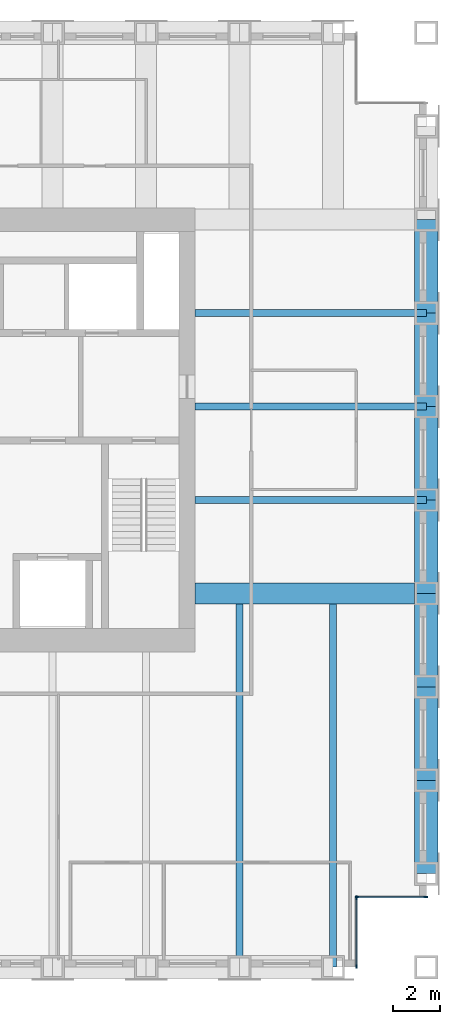
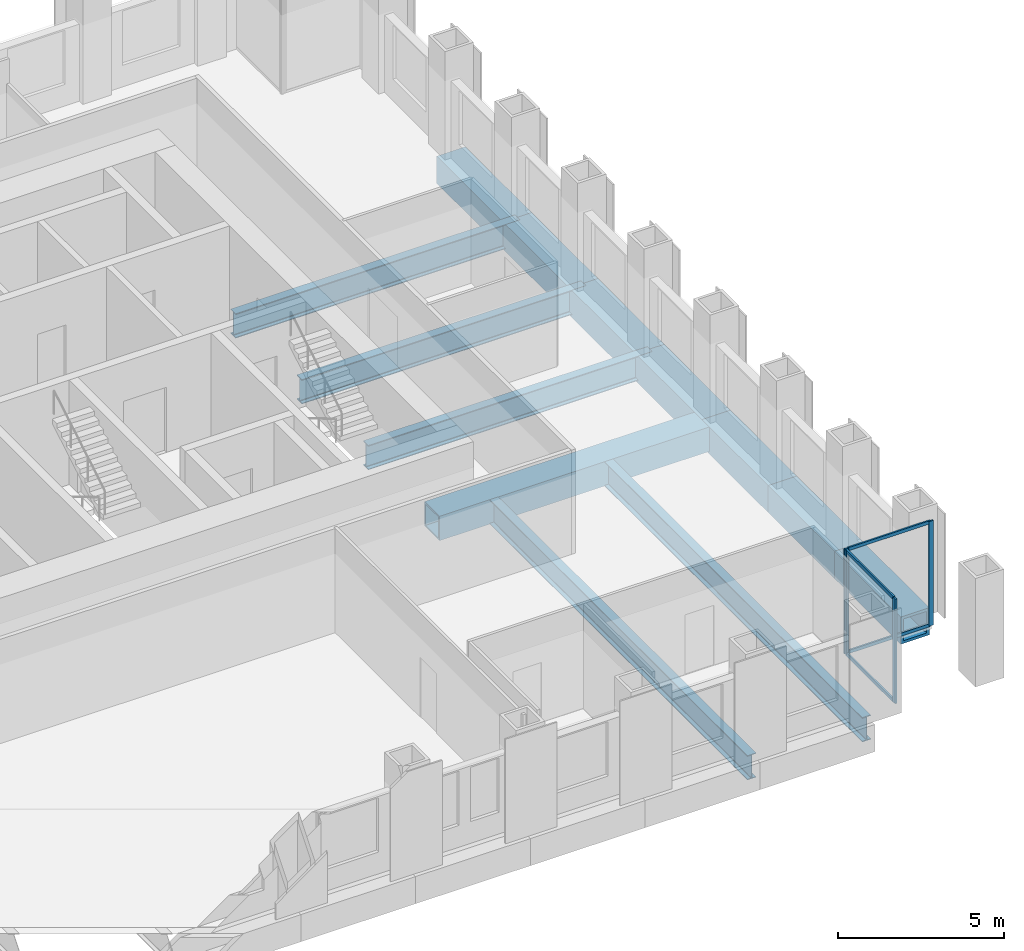
# One storey, part 4 of 11: 13 beams, 8 members, 2 elements without a shape of their own.
"""IFC4 building model written with IfcOpenShell, lengths in metres."""

from ifc_helpers import new_model, si_unit, direction, frame, origin, origin_2d, place, context, subcontext, project, spatial, rectangle, hollow_rectangle, i_section, extrude, material, material_profile, profile_set, type_object, element, aggregate, save


model = new_model("IFC4")

# Units and contexts
model_context = context("Model", 3, precision=1e-05, world=origin(), true_north=direction((0.0, 1.0)))
body_context = subcontext(model_context, "Body", "Model", "MODEL_VIEW")
ifc_project = project(units=[si_unit("LENGTHUNIT", "METRE"), si_unit("AREAUNIT", "SQUARE_METRE"), si_unit("VOLUMEUNIT", "CUBIC_METRE"), si_unit("PLANEANGLEUNIT", "RADIAN"), si_unit("MASSUNIT", "GRAM", prefix="KILO")], contexts=[model_context])

# Site, building, storey
site_placement = place(None, origin())
site = spatial("IfcSite", under=ifc_project, at=site_placement, CompositionType="ELEMENT")
building_placement = place(site_placement, origin())
building = spatial("IfcBuilding", under=site, at=building_placement, Name="Rimbunsela Tower", CompositionType="ELEMENT")
storey_placement = place(building_placement, frame((0.0, 0.0, 282.199951171875)))
storey = spatial("IfcBuildingStorey", under=building, at=storey_placement, Name="L68", CompositionType="ELEMENT", Elevation=282.199951171875)

# Beams
ifc_material_1 = material(Name="Steel BJ 55 (fy 410 MPa)", Category="steel")
ifc_material_profile_1 = material_profile(ifc_material_1, hollow_rectangle(XDim=1.0, YDim=1.0, WallThickness=0.10009765625, at=origin_2d()), Name="BOX 1000x1000x100")
ifc_profile_set_1 = profile_set([ifc_material_profile_1], Name="Steel BJ 55 (fy 410 MPa)")
beam_type_1 = type_object("IfcBeamType", Name="Beam BOX 1000x1000x100", PredefinedType="BEAM", material=ifc_profile_set_1)
for number, where, z_axis, x_axis, name in (
    (1, (46.0, 8.0, -0.64990234375), (0.0, 1.0, 0.0), (-1.0, 0.0, 0.0), "Beam B3 L68"),
    (2, (46.0, 12.0, -0.64990234375), (0.0, 1.0, 0.0), (-1.0, 0.0, 0.0), "Beam B3 L68"),
    (3, (46.0, 16.0, -0.64990234375), (0.0, 1.0, 0.0), (-1.0, 0.0, 0.0), "Beam B3 L68"),
    (4, (46.0, 20.0, -0.64990234375), (0.0, 1.0, 0.0), (-1.0, 0.0, 0.0), "Beam B3 L68"),
    (5, (46.0, 24.0, -0.64990234375), (0.0, 1.0, 0.0), (-1.0, 0.0, 0.0), "Beam B3 L68"),
    (6, (46.0, 28.0, -0.64990234375), (0.0, 1.0, 0.0), (-1.0, 0.0, 0.0), "Beam B3 L68"),
    (7, (46.0, 32.0, -0.64990234375), (0.0, 1.0, 0.0), (-1.0, 0.0, 0.0), "Beam B3 L68"),
):
    element("IfcBeam", number, at=place(storey_placement, frame(where, z_axis=z_axis, x_axis=x_axis)), inside=storey, type_object=beam_type_1, Name=name, PredefinedType="BEAM", context=body_context, shape_type="SweptSolid", body=[
        extrude(hollow_rectangle(XDim=1.0, YDim=1.0, WallThickness=0.10009765625, at=origin_2d()), origin(), (0.0, 0.0, 1.0), 4.0),
    ])
ifc_material_2 = material(Name="Steel BJ 55 (fy 410 MPa)", Category="steel")
ifc_material_profile_2 = material_profile(ifc_material_2, hollow_rectangle(XDim=0.89990234375, YDim=0.89990234375, WallThickness=0.06005859375, at=origin_2d()), Name="BOX 900x900x60")
ifc_profile_set_2 = profile_set([ifc_material_profile_2], Name="Steel BJ 55 (fy 410 MPa)")
beam_type_2 = type_object("IfcBeamType", Name="Beam BOX 900x900x60", PredefinedType="BEAM", material=ifc_profile_set_2)
beam_placement = place(storey_placement, frame((36.10009765625, 20.0, -0.599853515625), z_axis=(1.0, 0.0, 0.0), x_axis=(0.0, 1.0, 0.0)))
element("IfcBeam", 8, at=beam_placement, inside=storey, type_object=beam_type_2, Name="Beam B1 L68", PredefinedType="BEAM", context=body_context, shape_type="SweptSolid", body=[
    extrude(hollow_rectangle(XDim=0.89990234375, YDim=0.89990234375, WallThickness=0.06005859375, at=origin_2d()), origin(), (0.0, 0.0, 1.0), 9.89990234375),
])
ifc_material_3 = material(Name="Steel BJ 55 (fy 410 MPa)", Category="steel")
ifc_material_profile_3 = material_profile(ifc_material_3, i_section(OverallWidth=0.300048828125, OverallDepth=0.89990234375, WebThickness=0.01611328125, FlangeThickness=0.028076171875, FilletRadius=0.028076171875, at=origin_2d()), Name="H 900x300x16x28")
ifc_profile_set_3 = profile_set([ifc_material_profile_3], Name="Steel BJ 55 (fy 410 MPa)")
beam_type_3 = type_object("IfcBeamType", Name="Beam H 900x300x16x28", PredefinedType="BEAM", material=ifc_profile_set_3)
for number, where, z_axis, x_axis, name in (
    (9, (36.10009765625, 24.0, -0.599853515625), (1.0, 0.0, 0.0), (0.0, 1.0, 0.0), "Beam B2 L68"),
    (10, (36.10009765625, 28.0, -0.599853515625), (1.0, 0.0, 0.0), (0.0, 1.0, 0.0), "Beam B2 L68"),
    (11, (36.10009765625, 32.0, -0.599853515625), (1.0, 0.0, 0.0), (0.0, 1.0, 0.0), "Beam B2 L68"),
):
    element("IfcBeam", number, at=place(storey_placement, frame(where, z_axis=z_axis, x_axis=x_axis)), inside=storey, type_object=beam_type_3, Name=name, PredefinedType="BEAM", context=body_context, shape_type="SweptSolid", body=[
        extrude(i_section(OverallWidth=0.300048828125, OverallDepth=0.89990234375, WebThickness=0.01611328125, FlangeThickness=0.028076171875, FilletRadius=0.028076171875, at=origin_2d()), origin(), (0.0, 0.0, 1.0), 9.89990234375),
    ])
for number, where, z_axis, x_axis, name in (
    (12, (38.0, 4.0, -0.599853515625), (0.0, 1.0, 0.0), (-1.0, 0.0, 0.0), "Beam B2 L68"),
    (13, (42.0, 4.0, -0.599853515625), (0.0, 1.0, 0.0), (-1.0, 0.0, 0.0), "Beam B2 L68"),
):
    element("IfcBeam", number, at=place(storey_placement, frame(where, z_axis=z_axis, x_axis=x_axis)), inside=storey, type_object=beam_type_3, Name=name, PredefinedType="BEAM", context=body_context, shape_type="SweptSolid", body=[
        extrude(i_section(OverallWidth=0.300048828125, OverallDepth=0.89990234375, WebThickness=0.01611328125, FlangeThickness=0.028076171875, FilletRadius=0.028076171875, at=origin_2d()), origin(), (0.0, 0.0, 1.0), 15.550048828125),
    ])

# Curtain wall, members
ifc_material_4 = material(Name="Aluminium curtain wall", Category="aluminium")
curtain_wall_type = type_object("IfcCurtainWallType", Name="Corner glazing", PredefinedType="USERDEFINED", material=ifc_material_4)
curtain_wall_1_placement = place(storey_placement, origin())
curtain_wall_1 = element("IfcCurtainWall", 14, at=curtain_wall_1_placement, inside=storey, type_object=curtain_wall_type, Name="Corner glazing L68", ObjectType="CORNER GLAZING", PredefinedType="USERDEFINED")
ifc_material_5 = material(Name="Aluminium mullion", Category="aluminium")
ifc_material_profile_4 = material_profile(ifc_material_5, rectangle(XDim=0.06005859375, YDim=0.159912109375, at=origin_2d()), Name="Mullion 60x160")
ifc_profile_set_4 = profile_set([ifc_material_profile_4], Name="Aluminium mullion")
member_type_1 = type_object("IfcMemberType", Name="Curtain wall mullion 60x160", PredefinedType="MULLION", material=ifc_profile_set_4)
member_1_placement = place(storey_placement, frame((43.0, 4.030029296875, 0.0), z_axis=(0.0, 0.0, 1.0), x_axis=(-1.0, 0.0, 0.0)))
member_1 = element("IfcMember", 15, at=member_1_placement, type_object=member_type_1, Name="CW5 mullion 1", PredefinedType="MULLION", context=body_context, shape_type="SweptSolid", body=[
    extrude(rectangle(XDim=0.06005859375, YDim=0.159912109375, at=origin_2d()), origin(), (0.0, 0.0, 1.0), 3.85009765625),
])
member_2_placement = place(storey_placement, frame((43.0, 6.969970703125, 0.0), z_axis=(0.0, 0.0, 1.0), x_axis=(-1.0, 0.0, 0.0)))
member_2 = element("IfcMember", 16, at=member_2_placement, type_object=member_type_1, Name="CW5 mullion 2", PredefinedType="MULLION", context=body_context, shape_type="SweptSolid", body=[
    extrude(rectangle(XDim=0.06005859375, YDim=0.159912109375, at=origin_2d()), origin(), (0.0, 0.0, 1.0), 3.85009765625),
])

curtain_wall_2_placement = place(storey_placement, origin())
curtain_wall_2 = element("IfcCurtainWall", 17, at=curtain_wall_2_placement, inside=storey, type_object=curtain_wall_type, Name="Corner glazing L68", ObjectType="CORNER GLAZING", PredefinedType="USERDEFINED")
member_3_placement = place(storey_placement, frame((43.030029296875, 7.0, 0.0), z_axis=(0.0, 0.0, 1.0), x_axis=(0.0, 1.0, 0.0)))
member_3 = element("IfcMember", 18, at=member_3_placement, type_object=member_type_1, Name="CW5 mullion 1", PredefinedType="MULLION", context=body_context, shape_type="SweptSolid", body=[
    extrude(rectangle(XDim=0.06005859375, YDim=0.159912109375, at=origin_2d()), origin(), (0.0, 0.0, 1.0), 3.85009765625),
])
member_4_placement = place(storey_placement, frame((45.969970703125, 7.0, 0.0), z_axis=(0.0, 0.0, 1.0), x_axis=(0.0, 1.0, 0.0)))
member_4 = element("IfcMember", 19, at=member_4_placement, type_object=member_type_1, Name="CW5 mullion 2", PredefinedType="MULLION", context=body_context, shape_type="SweptSolid", body=[
    extrude(rectangle(XDim=0.06005859375, YDim=0.159912109375, at=origin_2d()), origin(), (0.0, 0.0, 1.0), 3.85009765625),
])

# Member
ifc_material_6 = material(Name="Aluminium transom", Category="aluminium")
ifc_material_profile_5 = material_profile(ifc_material_6, rectangle(XDim=0.06005859375, YDim=0.1201171875, at=origin_2d()), Name="Transom 60x120")
ifc_profile_set_5 = profile_set([ifc_material_profile_5], Name="Aluminium transom")
member_type_2 = type_object("IfcMemberType", Name="Curtain wall transom 60x120", PredefinedType="USERDEFINED", material=ifc_profile_set_5)
member_5_placement = place(storey_placement, frame((43.0, 4.06005859375, 0.030029296875), z_axis=(0.0, 1.0, 0.0), x_axis=(-1.0, 0.0, 0.0)))
member_5 = element("IfcMember", 20, at=member_5_placement, type_object=member_type_2, Name="CW5 transom 1.1", ObjectType="TRANSOM", PredefinedType="USERDEFINED", context=body_context, shape_type="SweptSolid", body=[
    extrude(rectangle(XDim=0.06005859375, YDim=0.1201171875, at=origin_2d()), origin(), (0.0, 0.0, 1.0), 2.8798828125),
])

member_6_placement = place(storey_placement, frame((43.0, 4.06005859375, 3.820068359375), z_axis=(0.0, 1.0, 0.0), x_axis=(-1.0, 0.0, 0.0)))
member_6 = element("IfcMember", 21, at=member_6_placement, type_object=member_type_2, Name="CW5 transom 1.2", ObjectType="TRANSOM", PredefinedType="USERDEFINED", context=body_context, shape_type="SweptSolid", body=[
    extrude(rectangle(XDim=0.06005859375, YDim=0.1201171875, at=origin_2d()), origin(), (0.0, 0.0, 1.0), 2.8798828125),
])

aggregate(curtain_wall_1, [member_1, member_2, member_5, member_6])

member_7_placement = place(storey_placement, frame((43.06005859375, 7.0, 0.030029296875), z_axis=(1.0, 0.0, 0.0), x_axis=(0.0, 1.0, 0.0)))
member_7 = element("IfcMember", 22, at=member_7_placement, type_object=member_type_2, Name="CW5 transom 1.1", ObjectType="TRANSOM", PredefinedType="USERDEFINED", context=body_context, shape_type="SweptSolid", body=[
    extrude(rectangle(XDim=0.06005859375, YDim=0.1201171875, at=origin_2d()), origin(), (0.0, 0.0, 1.0), 2.8798828125),
])

member_8_placement = place(storey_placement, frame((43.06005859375, 7.0, 3.820068359375), z_axis=(1.0, 0.0, 0.0), x_axis=(0.0, 1.0, 0.0)))
member_8 = element("IfcMember", 23, at=member_8_placement, type_object=member_type_2, Name="CW5 transom 1.2", ObjectType="TRANSOM", PredefinedType="USERDEFINED", context=body_context, shape_type="SweptSolid", body=[
    extrude(rectangle(XDim=0.06005859375, YDim=0.1201171875, at=origin_2d()), origin(), (0.0, 0.0, 1.0), 2.8798828125),
])

aggregate(curtain_wall_2, [member_3, member_4, member_7, member_8])

save(model, "model.ifc")
